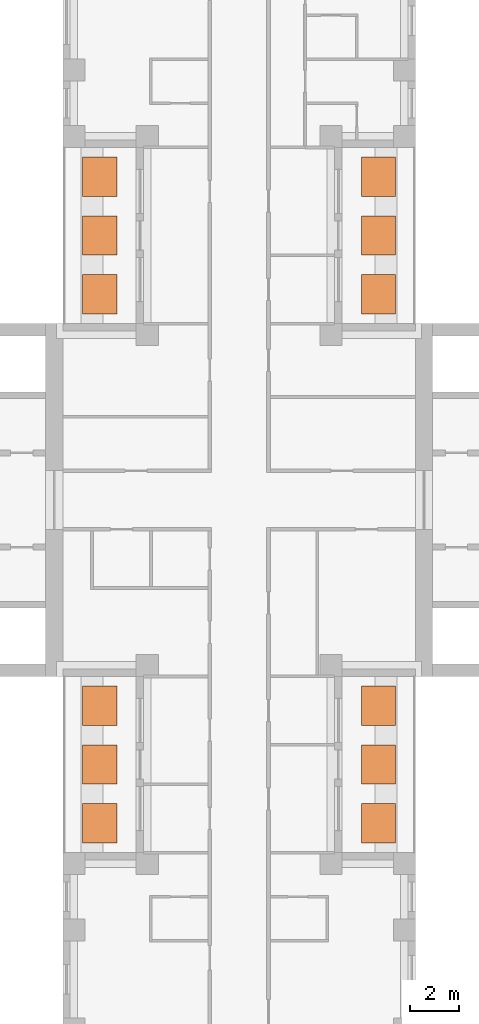
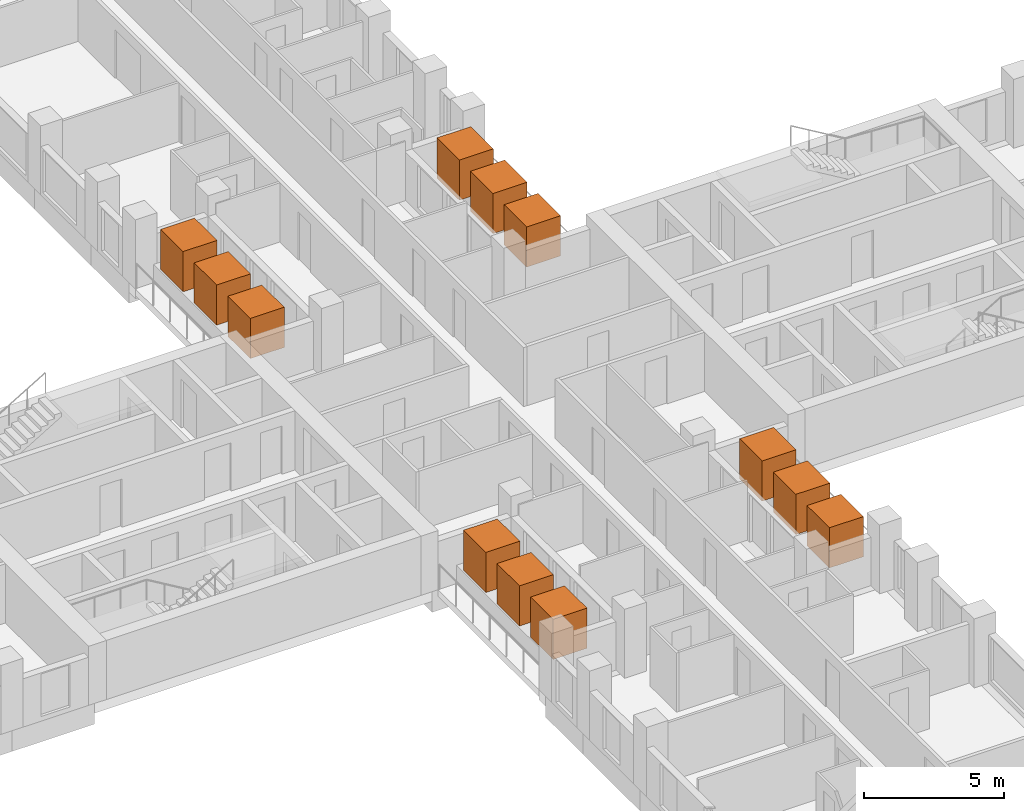
# One storey, part 15 of 15: 12 geographic elements.
"""IFC4 building model written with IfcOpenShell, lengths in metres."""

from ifc_helpers import new_model, si_unit, direction, frame, origin, origin_2d, place, context, subcontext, project, spatial, rectangle, extrude, material, element, save


model = new_model("IFC4")

# Units and contexts
model_context = context("Model", 3, precision=1e-05, world=origin(), true_north=direction((0.0, 1.0)))
body_context = subcontext(model_context, "Body", "Model", "MODEL_VIEW")
ifc_project = project(units=[si_unit("LENGTHUNIT", "METRE"), si_unit("AREAUNIT", "SQUARE_METRE"), si_unit("VOLUMEUNIT", "CUBIC_METRE"), si_unit("PLANEANGLEUNIT", "RADIAN"), si_unit("MASSUNIT", "GRAM", prefix="KILO")], contexts=[model_context])

# Site, building, storey
site_placement = place(None, origin())
site = spatial("IfcSite", under=ifc_project, at=site_placement, CompositionType="ELEMENT")
building_placement = place(site_placement, origin())
building = spatial("IfcBuilding", under=site, at=building_placement, Name="Fustian Cross Tower", CompositionType="ELEMENT")
storey_placement = place(building_placement, frame((0.0, 0.0, 38.699951171875)))
storey = spatial("IfcBuildingStorey", under=building, at=storey_placement, Name="L11", CompositionType="ELEMENT", Elevation=38.699951171875)

# Geographic elements
ifc_material = material(Name="Evergreen foliage")
for number, where, z_axis, x_axis, name in (
    (1, (5.68994140625, 8.39990234375, 0.800048828125), (0.0, 0.0, 1.0), (1.0, 0.0, 0.0), "TREE field maple"),
    (2, (5.68994140625, 10.800048828125, 0.800048828125), (0.0, 0.0, 1.0), (1.0, 0.0, 0.0), "TREE field maple"),
    (3, (5.68994140625, 13.199951171875, 0.800048828125), (0.0, 0.0, 1.0), (1.0, 0.0, 0.0), "TREE field maple"),
    (4, (-5.68994140625, 8.39990234375, 0.800048828125), (0.0, 0.0, 1.0), (1.0, 0.0, 0.0), "TREE field maple"),
    (5, (-5.68994140625, 10.800048828125, 0.800048828125), (0.0, 0.0, 1.0), (1.0, 0.0, 0.0), "TREE field maple"),
    (6, (-5.68994140625, 13.199951171875, 0.800048828125), (0.0, 0.0, 1.0), (1.0, 0.0, 0.0), "TREE field maple"),
    (7, (5.68994140625, -13.199951171875, 0.800048828125), (0.0, 0.0, 1.0), (1.0, 0.0, 0.0), "TREE field maple"),
    (8, (5.68994140625, -10.800048828125, 0.800048828125), (0.0, 0.0, 1.0), (1.0, 0.0, 0.0), "TREE field maple"),
    (9, (5.68994140625, -8.39990234375, 0.800048828125), (0.0, 0.0, 1.0), (1.0, 0.0, 0.0), "TREE field maple"),
    (10, (-5.68994140625, -13.199951171875, 0.800048828125), (0.0, 0.0, 1.0), (1.0, 0.0, 0.0), "TREE field maple"),
    (11, (-5.68994140625, -10.800048828125, 0.800048828125), (0.0, 0.0, 1.0), (1.0, 0.0, 0.0), "TREE field maple"),
    (12, (-5.68994140625, -8.39990234375, 0.800048828125), (0.0, 0.0, 1.0), (1.0, 0.0, 0.0), "TREE field maple"),
):
    element("IfcGeographicElement", number, at=place(storey_placement, frame(where, z_axis=z_axis, x_axis=x_axis)), inside=storey, material=ifc_material, Name=name, ObjectType="VEGETATION", PredefinedType="USERDEFINED", context=body_context, shape_type="SweptSolid", body=[
        extrude(rectangle(XDim=1.39990234375, YDim=1.60009765625, at=origin_2d()), origin(), (0.0, 0.0, 1.0), 1.75),
    ])

save(model, "model.ifc")
